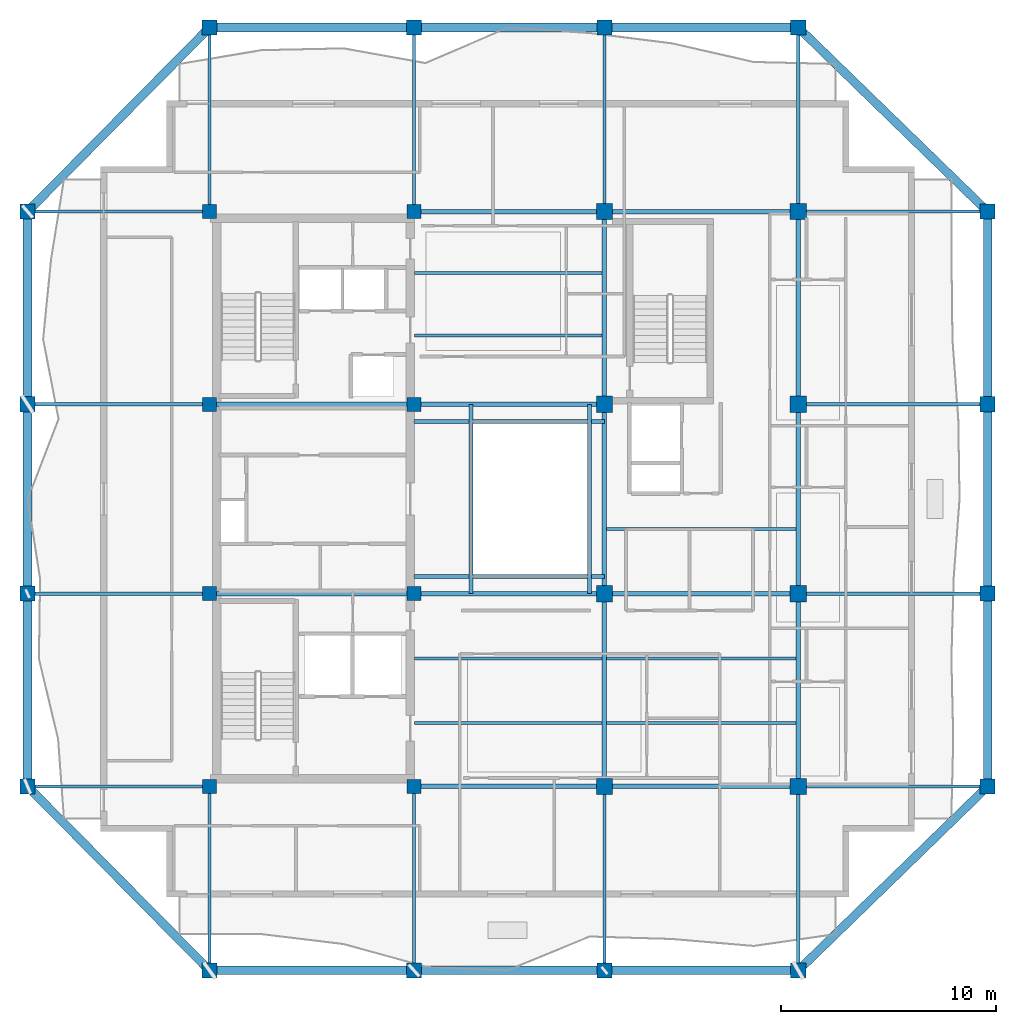
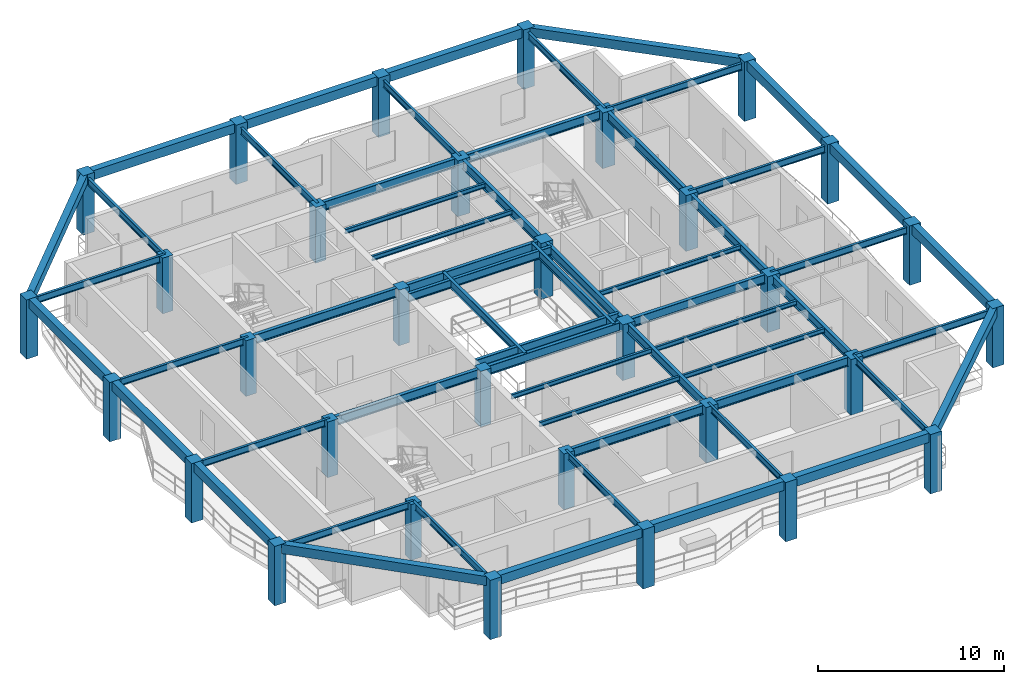
# One storey, part 1 of 10: 58 beams, 32 columns.
"""IFC4 building model written with IfcOpenShell, lengths in metres."""

from ifc_helpers import new_model, si_unit, direction, frame, origin, origin_2d, place, context, subcontext, project, spatial, rectangle, i_section, extrude, material, material_profile, profile_set, type_object, element, save


model = new_model("IFC4")

# Units and contexts
model_context = context("Model", 3, precision=1e-05, world=origin(), true_north=direction((0.0, 1.0)))
body_context = subcontext(model_context, "Body", "Model", "MODEL_VIEW")
ifc_project = project(units=[si_unit("LENGTHUNIT", "METRE"), si_unit("AREAUNIT", "SQUARE_METRE"), si_unit("VOLUMEUNIT", "CUBIC_METRE"), si_unit("PLANEANGLEUNIT", "RADIAN"), si_unit("MASSUNIT", "GRAM", prefix="KILO")], contexts=[model_context])

# Site, building, storey
site_placement = place(None, origin())
site = spatial("IfcSite", under=ifc_project, at=site_placement, CompositionType="ELEMENT")
building_placement = place(site_placement, origin())
building = spatial("IfcBuilding", under=site, at=building_placement, Name="Kundavana Baori Tower", CompositionType="ELEMENT")
storey_placement = place(building_placement, frame((0.0, 0.0, 284.300048828125)))
storey = spatial("IfcBuildingStorey", under=building, at=storey_placement, Name="L70", CompositionType="ELEMENT", Elevation=284.300048828125)

# Columns
ifc_material_1 = material(Name="Concrete C50/60", Category="concrete")
ifc_material_profile_1 = material_profile(ifc_material_1, rectangle(XDim=0.699951171875, YDim=0.699951171875, at=origin_2d()), Name="RC PF 700x700")
ifc_profile_set_1 = profile_set([ifc_material_profile_1], Name="Concrete C50/60")
column_type_1 = type_object("IfcColumnType", Name="COL-PF-700", PredefinedType="COLUMN", material=ifc_profile_set_1)
for number, where, z_axis, x_axis, name in (
    (1, (15.449951171875, 6.699951171875, 0.0), (0.0, 0.0, 1.0), (1.0, 0.0, 0.0), "L70 Stone-Clad Perimeter Frame Column PF-S1"),
    (2, (15.449951171875, 50.5, 0.0), (0.0, 0.0, 1.0), (1.0, 0.0, 0.0), "L70 Stone-Clad Perimeter Frame Column PF-N1"),
    (3, (24.949951171875, 6.699951171875, 0.0), (0.0, 0.0, 1.0), (1.0, 0.0, 0.0), "L70 Stone-Clad Perimeter Frame Column PF-S2"),
    (4, (24.949951171875, 50.5, 0.0), (0.0, 0.0, 1.0), (1.0, 0.0, 0.0), "L70 Stone-Clad Perimeter Frame Column PF-N2"),
    (5, (33.800048828125, 6.699951171875, 0.0), (0.0, 0.0, 1.0), (1.0, 0.0, 0.0), "L70 Stone-Clad Perimeter Frame Column PF-S3"),
    (6, (33.800048828125, 50.5, 0.0), (0.0, 0.0, 1.0), (1.0, 0.0, 0.0), "L70 Stone-Clad Perimeter Frame Column PF-N3"),
    (7, (42.800048828125, 6.699951171875, 0.0), (0.0, 0.0, 1.0), (1.0, 0.0, 0.0), "L70 Stone-Clad Perimeter Frame Column PF-S4"),
    (8, (42.800048828125, 50.5, 0.0), (0.0, 0.0, 1.0), (1.0, 0.0, 0.0), "L70 Stone-Clad Perimeter Frame Column PF-N4"),
    (9, (7.0, 15.25, 0.0), (0.0, 0.0, 1.0), (1.0, 0.0, 0.0), "L70 Stone-Clad Perimeter Frame Column PF-W1"),
    (10, (51.60009765625, 15.25, 0.0), (0.0, 0.0, 1.0), (1.0, 0.0, 0.0), "L70 Stone-Clad Perimeter Frame Column PF-E1"),
    (11, (7.0, 24.199951171875, 0.0), (0.0, 0.0, 1.0), (1.0, 0.0, 0.0), "L70 Stone-Clad Perimeter Frame Column PF-W2"),
    (12, (51.60009765625, 24.199951171875, 0.0), (0.0, 0.0, 1.0), (1.0, 0.0, 0.0), "L70 Stone-Clad Perimeter Frame Column PF-E2"),
    (13, (7.0, 33.0, 0.0), (0.0, 0.0, 1.0), (1.0, 0.0, 0.0), "L70 Stone-Clad Perimeter Frame Column PF-W3"),
    (14, (51.60009765625, 33.0, 0.0), (0.0, 0.0, 1.0), (1.0, 0.0, 0.0), "L70 Stone-Clad Perimeter Frame Column PF-E3"),
    (15, (7.0, 41.949951171875, 0.0), (0.0, 0.0, 1.0), (1.0, 0.0, 0.0), "L70 Stone-Clad Perimeter Frame Column PF-W4"),
    (16, (51.60009765625, 41.949951171875, 0.0), (0.0, 0.0, 1.0), (1.0, 0.0, 0.0), "L70 Stone-Clad Perimeter Frame Column PF-E4"),
):
    element("IfcColumn", number, at=place(storey_placement, frame(where, z_axis=z_axis, x_axis=x_axis)), inside=storey, type_object=column_type_1, Name=name, PredefinedType="COLUMN", context=body_context, shape_type="SweptSolid", body=[
        extrude(rectangle(XDim=0.699951171875, YDim=0.699951171875, at=origin_2d()), origin(), (0.0, 0.0, 1.0), 3.89990234375),
    ])
ifc_material_2 = material(Name="Concrete C50/60", Category="concrete")
ifc_material_profile_2 = material_profile(ifc_material_2, rectangle(XDim=0.64990234375, YDim=0.64990234375, at=origin_2d()), Name="RC 650x650")
ifc_profile_set_2 = profile_set([ifc_material_profile_2], Name="Concrete C50/60")
column_type_2 = type_object("IfcColumnType", Name="COL-RC-650", PredefinedType="COLUMN", material=ifc_profile_set_2)
for number, where, z_axis, x_axis, name in (
    (17, (15.449951171875, 15.25, 0.0), (0.0, 0.0, 1.0), (1.0, 0.0, 0.0), "L70 Interior Column IC-3C"),
    (18, (15.449951171875, 24.199951171875, 0.0), (0.0, 0.0, 1.0), (1.0, 0.0, 0.0), "L70 Interior Column IC-3D"),
    (19, (15.449951171875, 33.0, 0.0), (0.0, 0.0, 1.0), (1.0, 0.0, 0.0), "L70 Interior Column IC-3E"),
    (20, (15.449951171875, 41.949951171875, 0.0), (0.0, 0.0, 1.0), (1.0, 0.0, 0.0), "L70 Interior Column IC-3F"),
    (21, (24.949951171875, 15.25, 0.0), (0.0, 0.0, 1.0), (1.0, 0.0, 0.0), "L70 Interior Column IC-4C"),
    (22, (24.949951171875, 24.199951171875, 0.0), (0.0, 0.0, 1.0), (1.0, 0.0, 0.0), "L70 Interior Column IC-4D"),
    (23, (24.949951171875, 33.0, 0.0), (0.0, 0.0, 1.0), (1.0, 0.0, 0.0), "L70 Interior Column IC-4E"),
    (24, (24.949951171875, 41.949951171875, 0.0), (0.0, 0.0, 1.0), (1.0, 0.0, 0.0), "L70 Interior Column IC-4F"),
):
    element("IfcColumn", number, at=place(storey_placement, frame(where, z_axis=z_axis, x_axis=x_axis)), inside=storey, type_object=column_type_2, Name=name, PredefinedType="COLUMN", context=body_context, shape_type="SweptSolid", body=[
        extrude(rectangle(XDim=0.64990234375, YDim=0.64990234375, at=origin_2d()), origin(), (0.0, 0.0, 1.0), 3.659912109375),
    ])
ifc_material_3 = material(Name="Concrete C50/60", Category="concrete")
ifc_material_profile_3 = material_profile(ifc_material_3, rectangle(XDim=0.75, YDim=0.75, at=origin_2d()), Name="RC 750x750")
ifc_profile_set_3 = profile_set([ifc_material_profile_3], Name="Concrete C50/60")
column_type_3 = type_object("IfcColumnType", Name="COL-RC-750", PredefinedType="COLUMN", material=ifc_profile_set_3)
for number, where, z_axis, x_axis, name in (
    (25, (33.800048828125, 15.25, 0.0), (0.0, 0.0, 1.0), (1.0, 0.0, 0.0), "L70 Interior Column IC-5C"),
    (26, (33.800048828125, 24.199951171875, 0.0), (0.0, 0.0, 1.0), (1.0, 0.0, 0.0), "L70 Interior Column IC-5D"),
    (27, (33.800048828125, 33.0, 0.0), (0.0, 0.0, 1.0), (1.0, 0.0, 0.0), "L70 Interior Column IC-5E"),
    (28, (33.800048828125, 41.949951171875, 0.0), (0.0, 0.0, 1.0), (1.0, 0.0, 0.0), "L70 Interior Column IC-5F"),
    (29, (42.800048828125, 15.25, 0.0), (0.0, 0.0, 1.0), (1.0, 0.0, 0.0), "L70 Interior Column IC-6C"),
    (30, (42.800048828125, 24.199951171875, 0.0), (0.0, 0.0, 1.0), (1.0, 0.0, 0.0), "L70 Interior Column IC-6D"),
    (31, (42.800048828125, 33.0, 0.0), (0.0, 0.0, 1.0), (1.0, 0.0, 0.0), "L70 Interior Column IC-6E"),
    (32, (42.800048828125, 41.949951171875, 0.0), (0.0, 0.0, 1.0), (1.0, 0.0, 0.0), "L70 Interior Column IC-6F"),
):
    element("IfcColumn", number, at=place(storey_placement, frame(where, z_axis=z_axis, x_axis=x_axis)), inside=storey, type_object=column_type_3, Name=name, PredefinedType="COLUMN", context=body_context, shape_type="SweptSolid", body=[
        extrude(rectangle(XDim=0.75, YDim=0.75, at=origin_2d()), origin(), (0.0, 0.0, 1.0), 3.659912109375),
    ])

# Beams
ifc_material_4 = material(Name="Concrete C50/60", Category="concrete")
ifc_material_profile_4 = material_profile(ifc_material_4, rectangle(XDim=0.39990234375, YDim=0.60009765625, at=origin_2d()), Name="RC BM 400x600")
ifc_profile_set_4 = profile_set([ifc_material_profile_4], Name="Concrete C50/60")
beam_type_1 = type_object("IfcBeamType", Name="BM-PF-600", PredefinedType="SPANDREL", material=ifc_profile_set_4)
beam_1_placement = place(storey_placement, frame((15.449951171875, 6.699951171875, 3.599853515625), z_axis=(1.0, 0.0, 0.0), x_axis=(0.0, 1.0, 0.0)))
element("IfcBeam", 33, at=beam_1_placement, inside=storey, type_object=beam_type_1, Name="L70 Perimeter Frame Ring Beam S1", PredefinedType="SPANDREL", context=body_context, shape_type="SweptSolid", body=[
    extrude(rectangle(XDim=0.39990234375, YDim=0.60009765625, at=origin_2d()), origin(), (0.0, 0.0, 1.0), 9.5),
])
beam_2_placement = place(storey_placement, frame((24.949951171875, 6.699951171875, 3.599853515625), z_axis=(1.0, 0.0, 0.0), x_axis=(0.0, 1.0, 0.0)))
element("IfcBeam", 34, at=beam_2_placement, inside=storey, type_object=beam_type_1, Name="L70 Perimeter Frame Ring Beam S2", PredefinedType="SPANDREL", context=body_context, shape_type="SweptSolid", body=[
    extrude(rectangle(XDim=0.39990234375, YDim=0.60009765625, at=origin_2d()), origin(), (0.0, 0.0, 1.0), 8.85009765625),
])
beam_3_placement = place(storey_placement, frame((33.800048828125, 6.699951171875, 3.599853515625), z_axis=(1.0, 0.0, 0.0), x_axis=(0.0, 1.0, 0.0)))
element("IfcBeam", 35, at=beam_3_placement, inside=storey, type_object=beam_type_1, Name="L70 Perimeter Frame Ring Beam S3", PredefinedType="SPANDREL", context=body_context, shape_type="SweptSolid", body=[
    extrude(rectangle(XDim=0.39990234375, YDim=0.60009765625, at=origin_2d()), origin(), (0.0, 0.0, 1.0), 9.0),
])
beam_4_placement = place(storey_placement, frame((15.449951171875, 50.5, 3.599853515625), z_axis=(1.0, 0.0, 0.0), x_axis=(0.0, 1.0, 0.0)))
element("IfcBeam", 36, at=beam_4_placement, inside=storey, type_object=beam_type_1, Name="L70 Perimeter Frame Ring Beam N1", PredefinedType="SPANDREL", context=body_context, shape_type="SweptSolid", body=[
    extrude(rectangle(XDim=0.39990234375, YDim=0.60009765625, at=origin_2d()), origin(), (0.0, 0.0, 1.0), 9.5),
])
beam_5_placement = place(storey_placement, frame((24.949951171875, 50.5, 3.599853515625), z_axis=(1.0, 0.0, 0.0), x_axis=(0.0, 1.0, 0.0)))
element("IfcBeam", 37, at=beam_5_placement, inside=storey, type_object=beam_type_1, Name="L70 Perimeter Frame Ring Beam N2", PredefinedType="SPANDREL", context=body_context, shape_type="SweptSolid", body=[
    extrude(rectangle(XDim=0.39990234375, YDim=0.60009765625, at=origin_2d()), origin(), (0.0, 0.0, 1.0), 8.85009765625),
])
beam_6_placement = place(storey_placement, frame((33.800048828125, 50.5, 3.599853515625), z_axis=(1.0, 0.0, 0.0), x_axis=(0.0, 1.0, 0.0)))
element("IfcBeam", 38, at=beam_6_placement, inside=storey, type_object=beam_type_1, Name="L70 Perimeter Frame Ring Beam N3", PredefinedType="SPANDREL", context=body_context, shape_type="SweptSolid", body=[
    extrude(rectangle(XDim=0.39990234375, YDim=0.60009765625, at=origin_2d()), origin(), (0.0, 0.0, 1.0), 9.0),
])
beam_7_placement = place(storey_placement, frame((7.0, 15.25, 3.599853515625), z_axis=(0.0, 1.0, 0.0), x_axis=(-1.0, 0.0, 0.0)))
element("IfcBeam", 39, at=beam_7_placement, inside=storey, type_object=beam_type_1, Name="L70 Perimeter Frame Ring Beam W1", PredefinedType="SPANDREL", context=body_context, shape_type="SweptSolid", body=[
    extrude(rectangle(XDim=0.39990234375, YDim=0.60009765625, at=origin_2d()), origin(), (0.0, 0.0, 1.0), 8.949951171875),
])
beam_8_placement = place(storey_placement, frame((7.0, 24.199951171875, 3.599853515625), z_axis=(0.0, 1.0, 0.0), x_axis=(-1.0, 0.0, 0.0)))
element("IfcBeam", 40, at=beam_8_placement, inside=storey, type_object=beam_type_1, Name="L70 Perimeter Frame Ring Beam W2", PredefinedType="SPANDREL", context=body_context, shape_type="SweptSolid", body=[
    extrude(rectangle(XDim=0.39990234375, YDim=0.60009765625, at=origin_2d()), origin(), (0.0, 0.0, 1.0), 8.800048828125),
])
for number, where, z_axis, x_axis, name in (
    (41, (7.0, 33.0, 3.599853515625), (0.0, 1.0, 0.0), (-1.0, 0.0, 0.0), "L70 Perimeter Frame Ring Beam W3"),
    (42, (51.60009765625, 15.25, 3.599853515625), (0.0, 1.0, 0.0), (-1.0, 0.0, 0.0), "L70 Perimeter Frame Ring Beam E1"),
):
    element("IfcBeam", number, at=place(storey_placement, frame(where, z_axis=z_axis, x_axis=x_axis)), inside=storey, type_object=beam_type_1, Name=name, PredefinedType="SPANDREL", context=body_context, shape_type="SweptSolid", body=[
        extrude(rectangle(XDim=0.39990234375, YDim=0.60009765625, at=origin_2d()), origin(), (0.0, 0.0, 1.0), 8.949951171875),
    ])
beam_9_placement = place(storey_placement, frame((51.60009765625, 24.199951171875, 3.599853515625), z_axis=(0.0, 1.0, 0.0), x_axis=(-1.0, 0.0, 0.0)))
element("IfcBeam", 43, at=beam_9_placement, inside=storey, type_object=beam_type_1, Name="L70 Perimeter Frame Ring Beam E2", PredefinedType="SPANDREL", context=body_context, shape_type="SweptSolid", body=[
    extrude(rectangle(XDim=0.39990234375, YDim=0.60009765625, at=origin_2d()), origin(), (0.0, 0.0, 1.0), 8.800048828125),
])
beam_10_placement = place(storey_placement, frame((51.60009765625, 33.0, 3.599853515625), z_axis=(0.0, 1.0, 0.0), x_axis=(-1.0, 0.0, 0.0)))
element("IfcBeam", 44, at=beam_10_placement, inside=storey, type_object=beam_type_1, Name="L70 Perimeter Frame Ring Beam E3", PredefinedType="SPANDREL", context=body_context, shape_type="SweptSolid", body=[
    extrude(rectangle(XDim=0.39990234375, YDim=0.60009765625, at=origin_2d()), origin(), (0.0, 0.0, 1.0), 8.949951171875),
])
beam_11_placement = place(storey_placement, frame((15.449951171875, 6.699951171875, 3.599853515625), z_axis=(-0.702931082472, 0.711257965365, 0.0), x_axis=(-0.711257965365, -0.702931082472, 0.0)))
element("IfcBeam", 45, at=beam_11_placement, inside=storey, type_object=beam_type_1, Name="L70 Notched Corner Perimeter Beam SW", PredefinedType="SPANDREL", context=body_context, shape_type="SweptSolid", body=[
    extrude(rectangle(XDim=0.39990234375, YDim=0.60009765625, at=origin_2d()), origin(), (0.0, 0.0, 1.0), 12.02099609375),
])
beam_12_placement = place(storey_placement, frame((42.800048828125, 6.699951171875, 3.599853515625), z_axis=(0.717221130298, 0.696845643062, 0.0), x_axis=(-0.696845643062, 0.717221130298, 0.0)))
element("IfcBeam", 46, at=beam_12_placement, inside=storey, type_object=beam_type_1, Name="L70 Notched Corner Perimeter Beam SE", PredefinedType="SPANDREL", context=body_context, shape_type="SweptSolid", body=[
    extrude(rectangle(XDim=0.39990234375, YDim=0.60009765625, at=origin_2d()), origin(), (0.0, 0.0, 1.0), 12.26953125),
])
beam_13_placement = place(storey_placement, frame((15.449951171875, 50.5, 3.599853515625), z_axis=(-0.702931082472, -0.711257965365, 0.0), x_axis=(0.711257965365, -0.702931082472, 0.0)))
element("IfcBeam", 47, at=beam_13_placement, inside=storey, type_object=beam_type_1, Name="L70 Notched Corner Perimeter Beam NW", PredefinedType="SPANDREL", context=body_context, shape_type="SweptSolid", body=[
    extrude(rectangle(XDim=0.39990234375, YDim=0.60009765625, at=origin_2d()), origin(), (0.0, 0.0, 1.0), 12.02099609375),
])
beam_14_placement = place(storey_placement, frame((42.800048828125, 50.5, 3.599853515625), z_axis=(0.717221130298, -0.696845643062, 0.0), x_axis=(0.696845643062, 0.717221130298, 0.0)))
element("IfcBeam", 48, at=beam_14_placement, inside=storey, type_object=beam_type_1, Name="L70 Notched Corner Perimeter Beam NE", PredefinedType="SPANDREL", context=body_context, shape_type="SweptSolid", body=[
    extrude(rectangle(XDim=0.39990234375, YDim=0.60009765625, at=origin_2d()), origin(), (0.0, 0.0, 1.0), 12.26953125),
])
ifc_material_5 = material(Name="Structural Steel S355JR", Category="steel")
ifc_material_profile_5 = material_profile(ifc_material_5, i_section(OverallWidth=0.139892578125, OverallDepth=0.300048828125, WebThickness=0.0078125, FlangeThickness=0.01318359375, FilletRadius=0.013916015625, at=origin_2d()), Name="ISMB 300")
ifc_profile_set_5 = profile_set([ifc_material_profile_5], Name="Structural Steel S355JR")
beam_type_2 = type_object("IfcBeamType", Name="BM-RF-300", PredefinedType="BEAM", material=ifc_profile_set_5)
for number, where, z_axis, x_axis, name in (
    (49, (24.97998046875, 18.199951171875, 3.510009765625), (1.0, 0.0, 0.0), (0.0, 1.0, 0.0), "L70 Central Bay Composite Floor Joist C1"),
    (50, (24.97998046875, 21.199951171875, 3.510009765625), (1.0, 0.0, 0.0), (0.0, 1.0, 0.0), "L70 Central Bay Composite Floor Joist C2"),
    (51, (24.97998046875, 36.199951171875, 3.510009765625), (1.0, 0.0, 0.0), (0.0, 1.0, 0.0), "L70 Central Bay Composite Floor Joist C3"),
    (52, (24.97998046875, 39.10009765625, 3.510009765625), (1.0, 0.0, 0.0), (0.0, 1.0, 0.0), "L70 Central Bay Composite Floor Joist C4"),
):
    element("IfcBeam", number, at=place(storey_placement, frame(where, z_axis=z_axis, x_axis=x_axis)), inside=storey, type_object=beam_type_2, Name=name, PredefinedType="BEAM", context=body_context, shape_type="SweptSolid", body=[
        extrude(i_section(OverallWidth=0.139892578125, OverallDepth=0.300048828125, WebThickness=0.0078125, FlangeThickness=0.01318359375, FilletRadius=0.013916015625, at=origin_2d()), origin(), (0.0, 0.0, 1.0), 8.715087890625),
    ])
for number, where, z_axis, x_axis, name in (
    (53, (33.905029296875, 18.199951171875, 3.510009765625), (1.0, 0.0, 0.0), (0.0, 1.0, 0.0), "L70 East Bay Composite Floor Joist E1"),
    (54, (33.905029296875, 21.199951171875, 3.510009765625), (1.0, 0.0, 0.0), (0.0, 1.0, 0.0), "L70 East Bay Composite Floor Joist E2"),
    (55, (33.905029296875, 27.199951171875, 3.510009765625), (1.0, 0.0, 0.0), (0.0, 1.0, 0.0), "L70 East Bay Composite Floor Joist E3"),
):
    element("IfcBeam", number, at=place(storey_placement, frame(where, z_axis=z_axis, x_axis=x_axis)), inside=storey, type_object=beam_type_2, Name=name, PredefinedType="BEAM", context=body_context, shape_type="SweptSolid", body=[
        extrude(i_section(OverallWidth=0.139892578125, OverallDepth=0.300048828125, WebThickness=0.0078125, FlangeThickness=0.01318359375, FilletRadius=0.013916015625, at=origin_2d()), origin(), (0.0, 0.0, 1.0), 8.7900390625),
    ])
ifc_material_6 = material(Name="Structural Steel S355JR", Category="steel")
ifc_material_profile_6 = material_profile(ifc_material_6, i_section(OverallWidth=0.18994140625, OverallDepth=0.550048828125, WebThickness=0.01123046875, FlangeThickness=0.019287109375, FilletRadius=0.01806640625, at=origin_2d()), Name="ISMB 550")
ifc_profile_set_6 = profile_set([ifc_material_profile_6], Name="Structural Steel S355JR")
beam_type_3 = type_object("IfcBeamType", Name="BM-ST-550", PredefinedType="BEAM", material=ifc_profile_set_6)
for number, where, z_axis, x_axis, name in (
    (56, (27.60009765625, 24.199951171875, 3.385009765625), (0.0, 1.0, 0.0), (-1.0, 0.0, 0.0), "L70 Atrium West Edge Beam"),
    (57, (33.10009765625, 24.199951171875, 3.385009765625), (0.0, 1.0, 0.0), (-1.0, 0.0, 0.0), "L70 Atrium East Edge Beam"),
):
    element("IfcBeam", number, at=place(storey_placement, frame(where, z_axis=z_axis, x_axis=x_axis)), inside=storey, type_object=beam_type_3, Name=name, PredefinedType="BEAM", context=body_context, shape_type="SweptSolid", body=[
        extrude(i_section(OverallWidth=0.18994140625, OverallDepth=0.550048828125, WebThickness=0.01123046875, FlangeThickness=0.019287109375, FilletRadius=0.01806640625, at=origin_2d()), origin(), (0.0, 0.0, 1.0), 8.800048828125),
    ])
for number, where, z_axis, x_axis, name in (
    (58, (24.949951171875, 25.0, 3.385009765625), (1.0, 0.0, 0.0), (0.0, 1.0, 0.0), "L70 Atrium South Edge Beam"),
    (59, (24.949951171875, 32.199951171875, 3.385009765625), (1.0, 0.0, 0.0), (0.0, 1.0, 0.0), "L70 Atrium North Edge Beam"),
):
    element("IfcBeam", number, at=place(storey_placement, frame(where, z_axis=z_axis, x_axis=x_axis)), inside=storey, type_object=beam_type_3, Name=name, PredefinedType="BEAM", context=body_context, shape_type="SweptSolid", body=[
        extrude(i_section(OverallWidth=0.18994140625, OverallDepth=0.550048828125, WebThickness=0.01123046875, FlangeThickness=0.019287109375, FilletRadius=0.01806640625, at=origin_2d()), origin(), (0.0, 0.0, 1.0), 8.85009765625),
    ])
ifc_material_7 = material(Name="Structural Steel S355JR", Category="steel")
ifc_material_profile_7 = material_profile(ifc_material_7, i_section(OverallWidth=0.2099609375, OverallDepth=0.60009765625, WebThickness=0.011962890625, FlangeThickness=0.020751953125, FilletRadius=0.02001953125, at=origin_2d()), Name="ISMB 600")
ifc_profile_set_7 = profile_set([ifc_material_profile_7], Name="Structural Steel S355JR")
beam_type_4 = type_object("IfcBeamType", Name="BM-ST-600", PredefinedType="BEAM", material=ifc_profile_set_7)
beam_15_placement = place(storey_placement, frame((24.949951171875, 15.25, 3.35986328125), z_axis=(1.0, 0.0, 0.0), x_axis=(0.0, 1.0, 0.0)))
element("IfcBeam", 60, at=beam_15_placement, inside=storey, type_object=beam_type_4, Name="L70 Primary Grid Girder GX-1-2", PredefinedType="BEAM", context=body_context, shape_type="SweptSolid", body=[
    extrude(i_section(OverallWidth=0.2099609375, OverallDepth=0.60009765625, WebThickness=0.011962890625, FlangeThickness=0.020751953125, FilletRadius=0.02001953125, at=origin_2d()), origin(), (0.0, 0.0, 1.0), 8.85009765625),
])
beam_16_placement = place(storey_placement, frame((33.800048828125, 15.25, 3.35986328125), z_axis=(1.0, 0.0, 0.0), x_axis=(0.0, 1.0, 0.0)))
element("IfcBeam", 61, at=beam_16_placement, inside=storey, type_object=beam_type_4, Name="L70 Primary Grid Girder GX-1-3", PredefinedType="BEAM", context=body_context, shape_type="SweptSolid", body=[
    extrude(i_section(OverallWidth=0.2099609375, OverallDepth=0.60009765625, WebThickness=0.011962890625, FlangeThickness=0.020751953125, FilletRadius=0.02001953125, at=origin_2d()), origin(), (0.0, 0.0, 1.0), 9.0),
])
beam_17_placement = place(storey_placement, frame((15.449951171875, 24.199951171875, 3.35986328125), z_axis=(1.0, 0.0, 0.0), x_axis=(0.0, 1.0, 0.0)))
element("IfcBeam", 62, at=beam_17_placement, inside=storey, type_object=beam_type_4, Name="L70 Primary Grid Girder GX-2-1", PredefinedType="BEAM", context=body_context, shape_type="SweptSolid", body=[
    extrude(i_section(OverallWidth=0.2099609375, OverallDepth=0.60009765625, WebThickness=0.011962890625, FlangeThickness=0.020751953125, FilletRadius=0.02001953125, at=origin_2d()), origin(), (0.0, 0.0, 1.0), 9.5),
])
beam_18_placement = place(storey_placement, frame((24.949951171875, 24.199951171875, 3.35986328125), z_axis=(1.0, 0.0, 0.0), x_axis=(0.0, 1.0, 0.0)))
element("IfcBeam", 63, at=beam_18_placement, inside=storey, type_object=beam_type_4, Name="L70 Primary Grid Girder GX-2-2", PredefinedType="BEAM", context=body_context, shape_type="SweptSolid", body=[
    extrude(i_section(OverallWidth=0.2099609375, OverallDepth=0.60009765625, WebThickness=0.011962890625, FlangeThickness=0.020751953125, FilletRadius=0.02001953125, at=origin_2d()), origin(), (0.0, 0.0, 1.0), 8.85009765625),
])
beam_19_placement = place(storey_placement, frame((33.800048828125, 24.199951171875, 3.35986328125), z_axis=(1.0, 0.0, 0.0), x_axis=(0.0, 1.0, 0.0)))
element("IfcBeam", 64, at=beam_19_placement, inside=storey, type_object=beam_type_4, Name="L70 Primary Grid Girder GX-2-3", PredefinedType="BEAM", context=body_context, shape_type="SweptSolid", body=[
    extrude(i_section(OverallWidth=0.2099609375, OverallDepth=0.60009765625, WebThickness=0.011962890625, FlangeThickness=0.020751953125, FilletRadius=0.02001953125, at=origin_2d()), origin(), (0.0, 0.0, 1.0), 9.0),
])
beam_20_placement = place(storey_placement, frame((15.449951171875, 33.0, 3.35986328125), z_axis=(1.0, 0.0, 0.0), x_axis=(0.0, 1.0, 0.0)))
element("IfcBeam", 65, at=beam_20_placement, inside=storey, type_object=beam_type_4, Name="L70 Primary Grid Girder GX-3-1", PredefinedType="BEAM", context=body_context, shape_type="SweptSolid", body=[
    extrude(i_section(OverallWidth=0.2099609375, OverallDepth=0.60009765625, WebThickness=0.011962890625, FlangeThickness=0.020751953125, FilletRadius=0.02001953125, at=origin_2d()), origin(), (0.0, 0.0, 1.0), 9.5),
])
for number, where, z_axis, x_axis, name in (
    (66, (24.949951171875, 33.0, 3.35986328125), (1.0, 0.0, 0.0), (0.0, 1.0, 0.0), "L70 Primary Grid Girder GX-3-2"),
    (67, (24.949951171875, 41.949951171875, 3.35986328125), (1.0, 0.0, 0.0), (0.0, 1.0, 0.0), "L70 Primary Grid Girder GX-4-2"),
):
    element("IfcBeam", number, at=place(storey_placement, frame(where, z_axis=z_axis, x_axis=x_axis)), inside=storey, type_object=beam_type_4, Name=name, PredefinedType="BEAM", context=body_context, shape_type="SweptSolid", body=[
        extrude(i_section(OverallWidth=0.2099609375, OverallDepth=0.60009765625, WebThickness=0.011962890625, FlangeThickness=0.020751953125, FilletRadius=0.02001953125, at=origin_2d()), origin(), (0.0, 0.0, 1.0), 8.85009765625),
    ])
beam_21_placement = place(storey_placement, frame((33.800048828125, 41.949951171875, 3.35986328125), z_axis=(1.0, 0.0, 0.0), x_axis=(0.0, 1.0, 0.0)))
element("IfcBeam", 68, at=beam_21_placement, inside=storey, type_object=beam_type_4, Name="L70 Primary Grid Girder GX-4-3", PredefinedType="BEAM", context=body_context, shape_type="SweptSolid", body=[
    extrude(i_section(OverallWidth=0.2099609375, OverallDepth=0.60009765625, WebThickness=0.011962890625, FlangeThickness=0.020751953125, FilletRadius=0.02001953125, at=origin_2d()), origin(), (0.0, 0.0, 1.0), 9.0),
])
beam_22_placement = place(storey_placement, frame((33.800048828125, 15.25, 3.35986328125), z_axis=(0.0, 1.0, 0.0), x_axis=(-1.0, 0.0, 0.0)))
element("IfcBeam", 69, at=beam_22_placement, inside=storey, type_object=beam_type_4, Name="L70 Primary Grid Girder GY-3-1", PredefinedType="BEAM", context=body_context, shape_type="SweptSolid", body=[
    extrude(i_section(OverallWidth=0.2099609375, OverallDepth=0.60009765625, WebThickness=0.011962890625, FlangeThickness=0.020751953125, FilletRadius=0.02001953125, at=origin_2d()), origin(), (0.0, 0.0, 1.0), 8.949951171875),
])
beam_23_placement = place(storey_placement, frame((33.800048828125, 24.199951171875, 3.35986328125), z_axis=(0.0, 1.0, 0.0), x_axis=(-1.0, 0.0, 0.0)))
element("IfcBeam", 70, at=beam_23_placement, inside=storey, type_object=beam_type_4, Name="L70 Primary Grid Girder GY-3-2", PredefinedType="BEAM", context=body_context, shape_type="SweptSolid", body=[
    extrude(i_section(OverallWidth=0.2099609375, OverallDepth=0.60009765625, WebThickness=0.011962890625, FlangeThickness=0.020751953125, FilletRadius=0.02001953125, at=origin_2d()), origin(), (0.0, 0.0, 1.0), 8.800048828125),
])
for number, where, z_axis, x_axis, name in (
    (71, (33.800048828125, 33.0, 3.35986328125), (0.0, 1.0, 0.0), (-1.0, 0.0, 0.0), "L70 Primary Grid Girder GY-3-3"),
    (72, (42.800048828125, 15.25, 3.35986328125), (0.0, 1.0, 0.0), (-1.0, 0.0, 0.0), "L70 Primary Grid Girder GY-4-1"),
):
    element("IfcBeam", number, at=place(storey_placement, frame(where, z_axis=z_axis, x_axis=x_axis)), inside=storey, type_object=beam_type_4, Name=name, PredefinedType="BEAM", context=body_context, shape_type="SweptSolid", body=[
        extrude(i_section(OverallWidth=0.2099609375, OverallDepth=0.60009765625, WebThickness=0.011962890625, FlangeThickness=0.020751953125, FilletRadius=0.02001953125, at=origin_2d()), origin(), (0.0, 0.0, 1.0), 8.949951171875),
    ])
beam_24_placement = place(storey_placement, frame((42.800048828125, 24.199951171875, 3.35986328125), z_axis=(0.0, 1.0, 0.0), x_axis=(-1.0, 0.0, 0.0)))
element("IfcBeam", 73, at=beam_24_placement, inside=storey, type_object=beam_type_4, Name="L70 Primary Grid Girder GY-4-2", PredefinedType="BEAM", context=body_context, shape_type="SweptSolid", body=[
    extrude(i_section(OverallWidth=0.2099609375, OverallDepth=0.60009765625, WebThickness=0.011962890625, FlangeThickness=0.020751953125, FilletRadius=0.02001953125, at=origin_2d()), origin(), (0.0, 0.0, 1.0), 8.800048828125),
])
beam_25_placement = place(storey_placement, frame((42.800048828125, 33.0, 3.35986328125), z_axis=(0.0, 1.0, 0.0), x_axis=(-1.0, 0.0, 0.0)))
element("IfcBeam", 74, at=beam_25_placement, inside=storey, type_object=beam_type_4, Name="L70 Primary Grid Girder GY-4-3", PredefinedType="BEAM", context=body_context, shape_type="SweptSolid", body=[
    extrude(i_section(OverallWidth=0.2099609375, OverallDepth=0.60009765625, WebThickness=0.011962890625, FlangeThickness=0.020751953125, FilletRadius=0.02001953125, at=origin_2d()), origin(), (0.0, 0.0, 1.0), 8.949951171875),
])
ifc_material_8 = material(Name="Structural Steel S355JR", Category="steel")
ifc_material_profile_8 = material_profile(ifc_material_8, i_section(OverallWidth=0.14990234375, OverallDepth=0.449951171875, WebThickness=0.009521484375, FlangeThickness=0.017333984375, FilletRadius=0.014892578125, at=origin_2d()), Name="ISMB 450")
ifc_profile_set_8 = profile_set([ifc_material_profile_8], Name="Structural Steel S355JR")
beam_type_5 = type_object("IfcBeamType", Name="BM-TIE-450", PredefinedType="BEAM", material=ifc_profile_set_8)
for number, where, z_axis, x_axis, name in (
    (75, (15.449951171875, 15.25, 3.43505859375), (0.0, -1.0, 0.0), (1.0, 0.0, 0.0), "L70 South Radial Loggia Tie Beam S1"),
    (76, (15.449951171875, 41.949951171875, 3.43505859375), (0.0, 1.0, 0.0), (-1.0, 0.0, 0.0), "L70 North Radial Loggia Tie Beam N1"),
    (77, (24.949951171875, 15.25, 3.43505859375), (0.0, -1.0, 0.0), (1.0, 0.0, 0.0), "L70 South Radial Loggia Tie Beam S2"),
    (78, (24.949951171875, 41.949951171875, 3.43505859375), (0.0, 1.0, 0.0), (-1.0, 0.0, 0.0), "L70 North Radial Loggia Tie Beam N2"),
    (79, (33.800048828125, 15.25, 3.43505859375), (0.0, -1.0, 0.0), (1.0, 0.0, 0.0), "L70 South Radial Loggia Tie Beam S3"),
    (80, (33.800048828125, 41.949951171875, 3.43505859375), (0.0, 1.0, 0.0), (-1.0, 0.0, 0.0), "L70 North Radial Loggia Tie Beam N3"),
    (81, (42.800048828125, 15.25, 3.43505859375), (0.0, -1.0, 0.0), (1.0, 0.0, 0.0), "L70 South Radial Loggia Tie Beam S4"),
    (82, (42.800048828125, 41.949951171875, 3.43505859375), (0.0, 1.0, 0.0), (-1.0, 0.0, 0.0), "L70 North Radial Loggia Tie Beam N4"),
):
    element("IfcBeam", number, at=place(storey_placement, frame(where, z_axis=z_axis, x_axis=x_axis)), inside=storey, type_object=beam_type_5, Name=name, PredefinedType="BEAM", context=body_context, shape_type="SweptSolid", body=[
        extrude(i_section(OverallWidth=0.14990234375, OverallDepth=0.449951171875, WebThickness=0.009521484375, FlangeThickness=0.017333984375, FilletRadius=0.014892578125, at=origin_2d()), origin(), (0.0, 0.0, 1.0), 8.550048828125),
    ])
beam_26_placement = place(storey_placement, frame((15.449951171875, 15.25, 3.43505859375), z_axis=(-1.0, 0.0, 0.0), x_axis=(0.0, -1.0, 0.0)))
element("IfcBeam", 83, at=beam_26_placement, inside=storey, type_object=beam_type_5, Name="L70 West Radial Loggia Tie Beam W1", PredefinedType="BEAM", context=body_context, shape_type="SweptSolid", body=[
    extrude(i_section(OverallWidth=0.14990234375, OverallDepth=0.449951171875, WebThickness=0.009521484375, FlangeThickness=0.017333984375, FilletRadius=0.014892578125, at=origin_2d()), origin(), (0.0, 0.0, 1.0), 8.449951171875),
])
beam_27_placement = place(storey_placement, frame((42.800048828125, 15.25, 3.43505859375), z_axis=(1.0, 0.0, 0.0), x_axis=(0.0, 1.0, 0.0)))
element("IfcBeam", 84, at=beam_27_placement, inside=storey, type_object=beam_type_5, Name="L70 East Radial Loggia Tie Beam E1", PredefinedType="BEAM", context=body_context, shape_type="SweptSolid", body=[
    extrude(i_section(OverallWidth=0.14990234375, OverallDepth=0.449951171875, WebThickness=0.009521484375, FlangeThickness=0.017333984375, FilletRadius=0.014892578125, at=origin_2d()), origin(), (0.0, 0.0, 1.0), 8.800048828125),
])
beam_28_placement = place(storey_placement, frame((15.449951171875, 24.199951171875, 3.43505859375), z_axis=(-1.0, 0.0, 0.0), x_axis=(0.0, -1.0, 0.0)))
element("IfcBeam", 85, at=beam_28_placement, inside=storey, type_object=beam_type_5, Name="L70 West Radial Loggia Tie Beam W2", PredefinedType="BEAM", context=body_context, shape_type="SweptSolid", body=[
    extrude(i_section(OverallWidth=0.14990234375, OverallDepth=0.449951171875, WebThickness=0.009521484375, FlangeThickness=0.017333984375, FilletRadius=0.014892578125, at=origin_2d()), origin(), (0.0, 0.0, 1.0), 8.449951171875),
])
beam_29_placement = place(storey_placement, frame((42.800048828125, 24.199951171875, 3.43505859375), z_axis=(1.0, 0.0, 0.0), x_axis=(0.0, 1.0, 0.0)))
element("IfcBeam", 86, at=beam_29_placement, inside=storey, type_object=beam_type_5, Name="L70 East Radial Loggia Tie Beam E2", PredefinedType="BEAM", context=body_context, shape_type="SweptSolid", body=[
    extrude(i_section(OverallWidth=0.14990234375, OverallDepth=0.449951171875, WebThickness=0.009521484375, FlangeThickness=0.017333984375, FilletRadius=0.014892578125, at=origin_2d()), origin(), (0.0, 0.0, 1.0), 8.800048828125),
])
beam_30_placement = place(storey_placement, frame((15.449951171875, 33.0, 3.43505859375), z_axis=(-1.0, 0.0, 0.0), x_axis=(0.0, -1.0, 0.0)))
element("IfcBeam", 87, at=beam_30_placement, inside=storey, type_object=beam_type_5, Name="L70 West Radial Loggia Tie Beam W3", PredefinedType="BEAM", context=body_context, shape_type="SweptSolid", body=[
    extrude(i_section(OverallWidth=0.14990234375, OverallDepth=0.449951171875, WebThickness=0.009521484375, FlangeThickness=0.017333984375, FilletRadius=0.014892578125, at=origin_2d()), origin(), (0.0, 0.0, 1.0), 8.449951171875),
])
beam_31_placement = place(storey_placement, frame((42.800048828125, 33.0, 3.43505859375), z_axis=(1.0, 0.0, 0.0), x_axis=(0.0, 1.0, 0.0)))
element("IfcBeam", 88, at=beam_31_placement, inside=storey, type_object=beam_type_5, Name="L70 East Radial Loggia Tie Beam E3", PredefinedType="BEAM", context=body_context, shape_type="SweptSolid", body=[
    extrude(i_section(OverallWidth=0.14990234375, OverallDepth=0.449951171875, WebThickness=0.009521484375, FlangeThickness=0.017333984375, FilletRadius=0.014892578125, at=origin_2d()), origin(), (0.0, 0.0, 1.0), 8.800048828125),
])
beam_32_placement = place(storey_placement, frame((15.449951171875, 41.949951171875, 3.43505859375), z_axis=(-1.0, 0.0, 0.0), x_axis=(0.0, -1.0, 0.0)))
element("IfcBeam", 89, at=beam_32_placement, inside=storey, type_object=beam_type_5, Name="L70 West Radial Loggia Tie Beam W4", PredefinedType="BEAM", context=body_context, shape_type="SweptSolid", body=[
    extrude(i_section(OverallWidth=0.14990234375, OverallDepth=0.449951171875, WebThickness=0.009521484375, FlangeThickness=0.017333984375, FilletRadius=0.014892578125, at=origin_2d()), origin(), (0.0, 0.0, 1.0), 8.449951171875),
])
beam_33_placement = place(storey_placement, frame((42.800048828125, 41.949951171875, 3.43505859375), z_axis=(1.0, 0.0, 0.0), x_axis=(0.0, 1.0, 0.0)))
element("IfcBeam", 90, at=beam_33_placement, inside=storey, type_object=beam_type_5, Name="L70 East Radial Loggia Tie Beam E4", PredefinedType="BEAM", context=body_context, shape_type="SweptSolid", body=[
    extrude(i_section(OverallWidth=0.14990234375, OverallDepth=0.449951171875, WebThickness=0.009521484375, FlangeThickness=0.017333984375, FilletRadius=0.014892578125, at=origin_2d()), origin(), (0.0, 0.0, 1.0), 8.800048828125),
])

save(model, "model.ifc")
